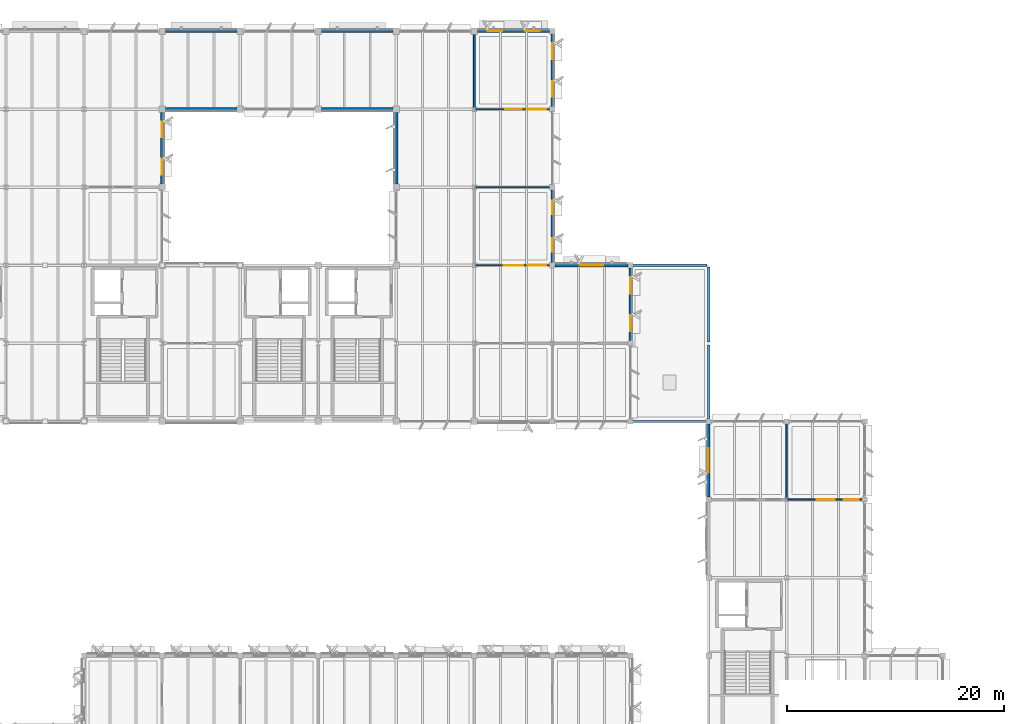
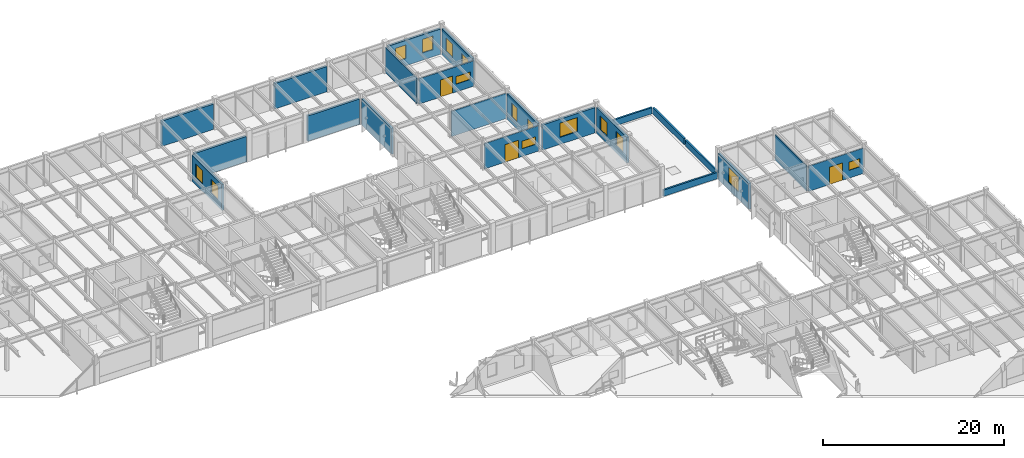
# One storey, part 42 of 85: 22 walls, 15 windows, 3 doors, 18 openings.
"""IFC4 building model written with IfcOpenShell, lengths in metres."""

from ifc_helpers import new_model, si_unit, direction, frame, frame_2d, origin, place, context, subcontext, project, spatial, rectangle, extrude, material, layer, layer_set, type_object, element, fill, save


model = new_model("IFC4")

# Units and contexts
model_context = context("Model", 3, precision=1e-05, world=origin(), true_north=direction((0.0, 1.0)))
body_context = subcontext(model_context, "Body", "Model", "MODEL_VIEW")
ifc_project = project(units=[si_unit("LENGTHUNIT", "METRE"), si_unit("AREAUNIT", "SQUARE_METRE"), si_unit("VOLUMEUNIT", "CUBIC_METRE"), si_unit("PLANEANGLEUNIT", "RADIAN"), si_unit("MASSUNIT", "GRAM", prefix="KILO")], contexts=[model_context])

# Site, building, storey
site_placement = place(None, origin())
site = spatial("IfcSite", under=ifc_project, at=site_placement, CompositionType="ELEMENT")
building_placement = place(site_placement, origin())
building = spatial("IfcBuilding", under=site, at=building_placement, Name="Sillqori Civic Hall", CompositionType="ELEMENT")
storey_placement = place(building_placement, frame((0.0, 0.0, 9.89990234375)))
storey = spatial("IfcBuildingStorey", under=building, at=storey_placement, Name="L03", CompositionType="ELEMENT", Elevation=9.89990234375)

# Wall, openings, windows
ifc_material_1 = material(Name="Precast concrete C40/50 (H40)", Category="concrete")
ifc_layer_1 = layer(ifc_material_1, 0.280029296875)
ifc_layer_set_1 = layer_set([ifc_layer_1], Name="Precast concrete C40/50 (H40)")
wall_type_1 = type_object("IfcWallType", Name="EW-LIME-280", PredefinedType="SOLIDWALL", material=ifc_layer_set_1)
wall_1_placement = place(storey_placement, frame((72.0, 107.699951171875, 0.0), z_axis=(0.0, 0.0, 1.0), x_axis=(0.0, -1.0, 0.0)))
wall_1 = element("IfcWall", 1, at=wall_1_placement, inside=storey, type_object=wall_type_1, Name="L03 V4 exterior wall L03-09-14-E", PredefinedType="SOLIDWALL", context=body_context, shape_type="SweptSolid", body=[
    extrude(rectangle(XDim=6.599853515625, YDim=0.280029296875, at=frame_2d((3.2998046875, 0.0))), origin(), (0.0, 0.0, 1.0), 3.487060546875),
])
opening_1_placement = place(wall_1_placement, frame((0.85888671875, 0.0, 0.949951171875)))
opening_1 = element("IfcOpeningElement", 2, at=opening_1_placement, cuts=wall_1, Name="Opening W-43", PredefinedType="OPENING", context=body_context, shape_type="SweptSolid", body=[
    extrude(rectangle(XDim=1.449951171875, YDim=1.85009765625, at=frame_2d((0.72509765625, 0.925048828125))), frame((0.0, 0.14990234375, 0.0), z_axis=(0.0, -1.0, 0.0), x_axis=(1.0, 0.0, 0.0)), (0.0, 0.0, 1.0), 0.300048828125),
])
opening_2_placement = place(wall_1_placement, frame((4.291015625, 0.0, 0.949951171875)))
opening_2 = element("IfcOpeningElement", 3, at=opening_2_placement, cuts=wall_1, Name="Opening W-43", PredefinedType="OPENING", context=body_context, shape_type="SweptSolid", body=[
    extrude(rectangle(XDim=1.449951171875, YDim=1.85009765625, at=frame_2d((0.72509765625, 0.925048828125))), frame((0.0, 0.14990234375, 0.0), z_axis=(0.0, -1.0, 0.0), x_axis=(1.0, 0.0, 0.0)), (0.0, 0.0, 1.0), 0.300048828125),
])
ifc_material_2 = material(Name="Thermally Broken Aluminium Low-E Window", Category="aluminium")
window_type_1 = type_object("IfcWindowType", Name="WIN-GD-145X185", PartitioningType="SINGLE_PANEL", PredefinedType="WINDOW", material=ifc_material_2)
window_1_placement = place(opening_1_placement, origin())
window_1 = element("IfcWindow", 4, at=window_1_placement, inside=storey, type_object=window_type_1, Name="L03 V4 window L03-09-14-E.1", OverallHeight=1.85009765625, OverallWidth=1.449951171875, PartitioningType="SINGLE_PANEL", PredefinedType="WINDOW", context=body_context, shape_type="SweptSolid", body=[
    extrude(rectangle(XDim=1.449951171875, YDim=1.85009765625, at=frame_2d((0.72509765625, 0.925048828125))), frame((0.0, 0.030029296875, 0.0), z_axis=(0.0, -1.0, 0.0), x_axis=(1.0, 0.0, 0.0)), (0.0, 0.0, 1.0), 0.06005859375),
])
fill(opening_1, window_1)
window_2_placement = place(opening_2_placement, origin())
window_2 = element("IfcWindow", 5, at=window_2_placement, inside=storey, type_object=window_type_1, Name="L03 V4 window L03-09-14-E.2", OverallHeight=1.85009765625, OverallWidth=1.449951171875, PartitioningType="SINGLE_PANEL", PredefinedType="WINDOW", context=body_context, shape_type="SweptSolid", body=[
    extrude(rectangle(XDim=1.449951171875, YDim=1.85009765625, at=frame_2d((0.72509765625, 0.925048828125))), frame((0.0, 0.030029296875, 0.0), z_axis=(0.0, -1.0, 0.0), x_axis=(1.0, 0.0, 0.0)), (0.0, 0.0, 1.0), 0.06005859375),
])
fill(opening_2, window_2)

# Walls
for number, where, z_axis, x_axis, name in (
    (6, (78.89990234375, 108.0, 0.0), (0.0, 0.0, 1.0), (-1.0, 0.0, 0.0), "L03 V4 exterior wall L03-10-15-S"),
    (7, (72.300048828125, 115.199951171875, 0.0), (0.0, 0.0, 1.0), (1.0, 0.0, 0.0), "L03 V4 exterior wall L03-10-15-N"),
):
    element("IfcWall", number, at=place(storey_placement, frame(where, z_axis=z_axis, x_axis=x_axis)), inside=storey, type_object=wall_type_1, Name=name, PredefinedType="SOLIDWALL", context=body_context, shape_type="SweptSolid", body=[
        extrude(rectangle(XDim=6.599853515625, YDim=0.280029296875, at=frame_2d((3.2998046875, 0.0))), origin(), (0.0, 0.0, 1.0), 3.418212890625),
    ])
for number, where, z_axis, x_axis, name in (
    (8, (93.300048828125, 108.0, 0.0), (0.0, 0.0, 1.0), (-1.0, 0.0, 0.0), "L03 V4 exterior wall L03-12-15-S"),
    (9, (86.699951171875, 115.199951171875, 0.0), (0.0, 0.0, 1.0), (1.0, 0.0, 0.0), "L03 V4 exterior wall L03-12-15-N"),
):
    element("IfcWall", number, at=place(storey_placement, frame(where, z_axis=z_axis, x_axis=x_axis)), inside=storey, type_object=wall_type_1, Name=name, PredefinedType="SOLIDWALL", context=body_context, shape_type="SweptSolid", body=[
        extrude(rectangle(XDim=6.60009765625, YDim=0.280029296875, at=frame_2d((3.300048828125, 0.0))), origin(), (0.0, 0.0, 1.0), 3.418212890625),
    ])
wall_2_placement = place(storey_placement, frame((93.60009765625, 101.10009765625, 0.0), z_axis=(0.0, 0.0, 1.0), x_axis=(0.0, 1.0, 0.0)))
element("IfcWall", 10, at=wall_2_placement, inside=storey, type_object=wall_type_1, Name="L03 V4 exterior wall L03-13-14-W", PredefinedType="SOLIDWALL", context=body_context, shape_type="SweptSolid", body=[
    extrude(rectangle(XDim=6.599853515625, YDim=0.280029296875, at=frame_2d((3.2998046875, 0.0))), origin(), (0.0, 0.0, 1.0), 3.487060546875),
])

# Wall, openings, windows
wall_3_placement = place(storey_placement, frame((108.0, 100.550048828125, 0.0), z_axis=(0.0, 0.0, 1.0), x_axis=(0.0, -1.0, 0.0)))
wall_3 = element("IfcWall", 11, at=wall_3_placement, inside=storey, type_object=wall_type_1, Name="L03 V4 exterior wall L03-14-13-E", PredefinedType="SOLIDWALL", context=body_context, shape_type="SweptSolid", body=[
    extrude(rectangle(XDim=6.699951171875, YDim=0.280029296875, at=frame_2d((3.35009765625, 0.0))), origin(), (0.0, 0.0, 1.0), 3.487060546875),
])
opening_3_placement = place(wall_3_placement, frame((0.98291015625, 0.0, 0.949951171875)))
opening_3 = element("IfcOpeningElement", 12, at=opening_3_placement, cuts=wall_3, Name="Opening W-41", PredefinedType="OPENING", context=body_context, shape_type="SweptSolid", body=[
    extrude(rectangle(XDim=1.25, YDim=1.85009765625, at=frame_2d((0.625, 0.925048828125))), frame((0.0, 0.14990234375, 0.0), z_axis=(0.0, -1.0, 0.0), x_axis=(1.0, 0.0, 0.0)), (0.0, 0.0, 1.0), 0.300048828125),
])
opening_4_placement = place(wall_3_placement, frame((4.467041015625, 0.0, 0.949951171875)))
opening_4 = element("IfcOpeningElement", 13, at=opening_4_placement, cuts=wall_3, Name="Opening W-41", PredefinedType="OPENING", context=body_context, shape_type="SweptSolid", body=[
    extrude(rectangle(XDim=1.25, YDim=1.85009765625, at=frame_2d((0.625, 0.925048828125))), frame((0.0, 0.14990234375, 0.0), z_axis=(0.0, -1.0, 0.0), x_axis=(1.0, 0.0, 0.0)), (0.0, 0.0, 1.0), 0.300048828125),
])
window_type_2 = type_object("IfcWindowType", Name="WIN-GD-125X185", PartitioningType="SINGLE_PANEL", PredefinedType="WINDOW", material=ifc_material_2)
window_3_placement = place(opening_3_placement, origin())
window_3 = element("IfcWindow", 14, at=window_3_placement, inside=storey, type_object=window_type_2, Name="L03 V4 window L03-14-13-E.1", OverallHeight=1.85009765625, OverallWidth=1.25, PartitioningType="SINGLE_PANEL", PredefinedType="WINDOW", context=body_context, shape_type="SweptSolid", body=[
    extrude(rectangle(XDim=1.25, YDim=1.85009765625, at=frame_2d((0.625, 0.925048828125))), frame((0.0, 0.030029296875, 0.0), z_axis=(0.0, -1.0, 0.0), x_axis=(1.0, 0.0, 0.0)), (0.0, 0.0, 1.0), 0.06005859375),
])
fill(opening_3, window_3)
window_4_placement = place(opening_4_placement, origin())
window_4 = element("IfcWindow", 15, at=window_4_placement, inside=storey, type_object=window_type_2, Name="L03 V4 window L03-14-13-E.2", OverallHeight=1.85009765625, OverallWidth=1.25, PartitioningType="SINGLE_PANEL", PredefinedType="WINDOW", context=body_context, shape_type="SweptSolid", body=[
    extrude(rectangle(XDim=1.25, YDim=1.85009765625, at=frame_2d((0.625, 0.925048828125))), frame((0.0, 0.030029296875, 0.0), z_axis=(0.0, -1.0, 0.0), x_axis=(1.0, 0.0, 0.0)), (0.0, 0.0, 1.0), 0.06005859375),
])
fill(opening_4, window_4)

wall_4_placement = place(storey_placement, frame((101.10009765625, 115.199951171875, 0.0), z_axis=(0.0, 0.0, 1.0), x_axis=(1.0, 0.0, 0.0)))
wall_4 = element("IfcWall", 16, at=wall_4_placement, inside=storey, type_object=wall_type_1, Name="L03 V4 exterior wall L03-14-15-N", PredefinedType="SOLIDWALL", context=body_context, shape_type="SweptSolid", body=[
    extrude(rectangle(XDim=6.64990234375, YDim=0.280029296875, at=frame_2d((3.324951171875, 0.0))), origin(), (0.0, 0.0, 1.0), 3.418212890625),
])
opening_5_placement = place(wall_4_placement, frame((0.9208984375, 0.0, 0.949951171875)))
opening_5 = element("IfcOpeningElement", 17, at=opening_5_placement, cuts=wall_4, Name="Opening W-42", PredefinedType="OPENING", context=body_context, shape_type="SweptSolid", body=[
    extrude(rectangle(XDim=1.35009765625, YDim=1.85009765625, at=frame_2d((0.675048828125, 0.925048828125))), frame((0.0, 0.14990234375, 0.0), z_axis=(0.0, -1.0, 0.0), x_axis=(1.0, 0.0, 0.0)), (0.0, 0.0, 1.0), 0.300048828125),
])
opening_6_placement = place(wall_4_placement, frame((4.37890625, 0.0, 0.949951171875)))
opening_6 = element("IfcOpeningElement", 18, at=opening_6_placement, cuts=wall_4, Name="Opening W-42", PredefinedType="OPENING", context=body_context, shape_type="SweptSolid", body=[
    extrude(rectangle(XDim=1.35009765625, YDim=1.85009765625, at=frame_2d((0.675048828125, 0.925048828125))), frame((0.0, 0.14990234375, 0.0), z_axis=(0.0, -1.0, 0.0), x_axis=(1.0, 0.0, 0.0)), (0.0, 0.0, 1.0), 0.300048828125),
])
window_type_3 = type_object("IfcWindowType", Name="WIN-GD-135X185", PartitioningType="SINGLE_PANEL", PredefinedType="WINDOW", material=ifc_material_2)
window_5_placement = place(opening_5_placement, origin())
window_5 = element("IfcWindow", 19, at=window_5_placement, inside=storey, type_object=window_type_3, Name="L03 V4 window L03-14-15-N.1", OverallHeight=1.85009765625, OverallWidth=1.35009765625, PartitioningType="SINGLE_PANEL", PredefinedType="WINDOW", context=body_context, shape_type="SweptSolid", body=[
    extrude(rectangle(XDim=1.35009765625, YDim=1.85009765625, at=frame_2d((0.675048828125, 0.925048828125))), frame((0.0, 0.030029296875, 0.0), z_axis=(0.0, -1.0, 0.0), x_axis=(1.0, 0.0, 0.0)), (0.0, 0.0, 1.0), 0.06005859375),
])
fill(opening_5, window_5)
window_6_placement = place(opening_6_placement, origin())
window_6 = element("IfcWindow", 20, at=window_6_placement, inside=storey, type_object=window_type_3, Name="L03 V4 window L03-14-15-N.2", OverallHeight=1.85009765625, OverallWidth=1.35009765625, PartitioningType="SINGLE_PANEL", PredefinedType="WINDOW", context=body_context, shape_type="SweptSolid", body=[
    extrude(rectangle(XDim=1.35009765625, YDim=1.85009765625, at=frame_2d((0.675048828125, 0.925048828125))), frame((0.0, 0.030029296875, 0.0), z_axis=(0.0, -1.0, 0.0), x_axis=(1.0, 0.0, 0.0)), (0.0, 0.0, 1.0), 0.06005859375),
])
fill(opening_6, window_6)

wall_5_placement = place(storey_placement, frame((108.0, 114.949951171875, 0.0), z_axis=(0.0, 0.0, 1.0), x_axis=(0.0, -1.0, 0.0)))
wall_5 = element("IfcWall", 21, at=wall_5_placement, inside=storey, type_object=wall_type_1, Name="L03 V4 exterior wall L03-14-15-E", PredefinedType="SOLIDWALL", context=body_context, shape_type="SweptSolid", body=[
    extrude(rectangle(XDim=6.699951171875, YDim=0.280029296875, at=frame_2d((3.35009765625, 0.0))), origin(), (0.0, 0.0, 1.0), 3.487060546875),
])
opening_7_placement = place(wall_5_placement, frame((0.883056640625, 0.0, 0.949951171875)))
opening_7 = element("IfcOpeningElement", 22, at=opening_7_placement, cuts=wall_5, Name="Opening W-43", PredefinedType="OPENING", context=body_context, shape_type="SweptSolid", body=[
    extrude(rectangle(XDim=1.449951171875, YDim=1.85009765625, at=frame_2d((0.72509765625, 0.925048828125))), frame((0.0, 0.14990234375, 0.0), z_axis=(0.0, -1.0, 0.0), x_axis=(1.0, 0.0, 0.0)), (0.0, 0.0, 1.0), 0.300048828125),
])
opening_8_placement = place(wall_5_placement, frame((4.366943359375, 0.0, 0.949951171875)))
opening_8 = element("IfcOpeningElement", 23, at=opening_8_placement, cuts=wall_5, Name="Opening W-43", PredefinedType="OPENING", context=body_context, shape_type="SweptSolid", body=[
    extrude(rectangle(XDim=1.449951171875, YDim=1.85009765625, at=frame_2d((0.72509765625, 0.925048828125))), frame((0.0, 0.14990234375, 0.0), z_axis=(0.0, -1.0, 0.0), x_axis=(1.0, 0.0, 0.0)), (0.0, 0.0, 1.0), 0.300048828125),
])
window_7_placement = place(opening_7_placement, origin())
window_7 = element("IfcWindow", 24, at=window_7_placement, inside=storey, type_object=window_type_1, Name="L03 V4 window L03-14-15-E.1", OverallHeight=1.85009765625, OverallWidth=1.449951171875, PartitioningType="SINGLE_PANEL", PredefinedType="WINDOW", context=body_context, shape_type="SweptSolid", body=[
    extrude(rectangle(XDim=1.449951171875, YDim=1.85009765625, at=frame_2d((0.72509765625, 0.925048828125))), frame((0.0, 0.030029296875, 0.0), z_axis=(0.0, -1.0, 0.0), x_axis=(1.0, 0.0, 0.0)), (0.0, 0.0, 1.0), 0.06005859375),
])
fill(opening_7, window_7)
window_8_placement = place(opening_8_placement, origin())
window_8 = element("IfcWindow", 25, at=window_8_placement, inside=storey, type_object=window_type_1, Name="L03 V4 window L03-14-15-E.2", OverallHeight=1.85009765625, OverallWidth=1.449951171875, PartitioningType="SINGLE_PANEL", PredefinedType="WINDOW", context=body_context, shape_type="SweptSolid", body=[
    extrude(rectangle(XDim=1.449951171875, YDim=1.85009765625, at=frame_2d((0.72509765625, 0.925048828125))), frame((0.0, 0.030029296875, 0.0), z_axis=(0.0, -1.0, 0.0), x_axis=(1.0, 0.0, 0.0)), (0.0, 0.0, 1.0), 0.06005859375),
])
fill(opening_8, window_8)

# Wall, opening, window
wall_6_placement = place(storey_placement, frame((108.25, 93.60009765625, 0.0), z_axis=(0.0, 0.0, 1.0), x_axis=(1.0, 0.0, 0.0)))
wall_6 = element("IfcWall", 26, at=wall_6_placement, inside=storey, type_object=wall_type_1, Name="L03 V4 exterior wall L03-15-12-N", PredefinedType="SOLIDWALL", context=body_context, shape_type="SweptSolid", body=[
    extrude(rectangle(XDim=6.699951171875, YDim=0.280029296875, at=frame_2d((3.35009765625, 0.0))), origin(), (0.0, 0.0, 1.0), 3.398193359375),
])
opening_9_placement = place(wall_6_placement, frame((2.25, 0.0, 0.949951171875)))
opening_9 = element("IfcOpeningElement", 27, at=opening_9_placement, cuts=wall_6, Name="Opening W-14", PredefinedType="OPENING", context=body_context, shape_type="SweptSolid", body=[
    extrude(rectangle(XDim=2.199951171875, YDim=1.89990234375, at=frame_2d((1.10009765625, 0.949951171875))), frame((0.0, 0.14990234375, 0.0), z_axis=(0.0, -1.0, 0.0), x_axis=(1.0, 0.0, 0.0)), (0.0, 0.0, 1.0), 0.300048828125),
])
window_type_4 = type_object("IfcWindowType", Name="WIN-V4-220X190", PartitioningType="SINGLE_PANEL", PredefinedType="WINDOW", material=ifc_material_2)
window_9_placement = place(opening_9_placement, origin())
window_9 = element("IfcWindow", 28, at=window_9_placement, inside=storey, type_object=window_type_4, Name="L03 V4 window L03-15-12-N.1", OverallHeight=1.89990234375, OverallWidth=2.199951171875, PartitioningType="SINGLE_PANEL", PredefinedType="WINDOW", context=body_context, shape_type="SweptSolid", body=[
    extrude(rectangle(XDim=2.199951171875, YDim=1.89990234375, at=frame_2d((1.10009765625, 0.949951171875))), frame((0.0, 0.030029296875, 0.0), z_axis=(0.0, -1.0, 0.0), x_axis=(1.0, 0.0, 0.0)), (0.0, 0.0, 1.0), 0.06005859375),
])
fill(opening_9, window_9)

# Wall, openings, windows
wall_7_placement = place(storey_placement, frame((115.199951171875, 93.35009765625, 0.0), z_axis=(0.0, 0.0, 1.0), x_axis=(0.0, -1.0, 0.0)))
wall_7 = element("IfcWall", 29, at=wall_7_placement, inside=storey, type_object=wall_type_1, Name="L03 V4 exterior wall L03-15-12-E", PredefinedType="SOLIDWALL", context=body_context, shape_type="SweptSolid", body=[
    extrude(rectangle(XDim=6.7001953125, YDim=0.280029296875, at=frame_2d((3.35009765625, 0.0))), origin(), (0.0, 0.0, 1.0), 3.467041015625),
])
opening_10_placement = place(wall_7_placement, frame((0.85791015625, 0.0, 0.949951171875)))
opening_10 = element("IfcOpeningElement", 30, at=opening_10_placement, cuts=wall_7, Name="Opening W-15", PredefinedType="OPENING", context=body_context, shape_type="SweptSolid", body=[
    extrude(rectangle(XDim=1.5, YDim=1.89990234375, at=frame_2d((0.75, 0.949951171875))), frame((0.0, 0.14990234375, 0.0), z_axis=(0.0, -1.0, 0.0), x_axis=(1.0, 0.0, 0.0)), (0.0, 0.0, 1.0), 0.300048828125),
])
opening_11_placement = place(wall_7_placement, frame((4.342041015625, 0.0, 0.949951171875)))
opening_11 = element("IfcOpeningElement", 31, at=opening_11_placement, cuts=wall_7, Name="Opening W-15", PredefinedType="OPENING", context=body_context, shape_type="SweptSolid", body=[
    extrude(rectangle(XDim=1.5, YDim=1.89990234375, at=frame_2d((0.75, 0.949951171875))), frame((0.0, 0.14990234375, 0.0), z_axis=(0.0, -1.0, 0.0), x_axis=(1.0, 0.0, 0.0)), (0.0, 0.0, 1.0), 0.300048828125),
])
window_type_5 = type_object("IfcWindowType", Name="WIN-V4-150X190", PartitioningType="SINGLE_PANEL", PredefinedType="WINDOW", material=ifc_material_2)
window_10_placement = place(opening_10_placement, origin())
window_10 = element("IfcWindow", 32, at=window_10_placement, inside=storey, type_object=window_type_5, Name="L03 V4 window L03-15-12-E.1", OverallHeight=1.89990234375, OverallWidth=1.5, PartitioningType="SINGLE_PANEL", PredefinedType="WINDOW", context=body_context, shape_type="SweptSolid", body=[
    extrude(rectangle(XDim=1.5, YDim=1.89990234375, at=frame_2d((0.75, 0.949951171875))), frame((0.0, 0.030029296875, 0.0), z_axis=(0.0, -1.0, 0.0), x_axis=(1.0, 0.0, 0.0)), (0.0, 0.0, 1.0), 0.06005859375),
])
fill(opening_10, window_10)
window_11_placement = place(opening_11_placement, origin())
window_11 = element("IfcWindow", 33, at=window_11_placement, inside=storey, type_object=window_type_5, Name="L03 V4 window L03-15-12-E.2", OverallHeight=1.89990234375, OverallWidth=1.5, PartitioningType="SINGLE_PANEL", PredefinedType="WINDOW", context=body_context, shape_type="SweptSolid", body=[
    extrude(rectangle(XDim=1.5, YDim=1.89990234375, at=frame_2d((0.75, 0.949951171875))), frame((0.0, 0.030029296875, 0.0), z_axis=(0.0, -1.0, 0.0), x_axis=(1.0, 0.0, 0.0)), (0.0, 0.0, 1.0), 0.06005859375),
])
fill(opening_11, window_11)

# Wall, opening, window
ifc_layer_2 = layer(ifc_material_1, 0.300048828125)
ifc_layer_set_2 = layer_set([ifc_layer_2], Name="Precast concrete C40/50 (H40)")
wall_type_2 = type_object("IfcWallType", Name="EW-LIME-300", PredefinedType="SOLIDWALL", material=ifc_layer_set_2)
wall_8_placement = place(storey_placement, frame((122.39990234375, 72.25, 0.0), z_axis=(0.0, 0.0, 1.0), x_axis=(0.0, 1.0, 0.0)))
wall_8 = element("IfcWall", 34, at=wall_8_placement, inside=storey, type_object=wall_type_2, Name="L03 V3 exterior wall L03-17-10-W", PredefinedType="SOLIDWALL", context=body_context, shape_type="SweptSolid", body=[
    extrude(rectangle(XDim=6.699951171875, YDim=0.300048828125, at=frame_2d((3.35009765625, 0.0))), origin(), (0.0, 0.0, 1.0), 3.487060546875),
])
opening_12_placement = place(wall_8_placement, frame((2.22509765625, 0.0, 0.949951171875)))
opening_12 = element("IfcOpeningElement", 35, at=opening_12_placement, cuts=wall_8, Name="Opening W-38", PredefinedType="OPENING", context=body_context, shape_type="SweptSolid", body=[
    extrude(rectangle(XDim=2.25, YDim=2.050048828125, at=frame_2d((1.125, 1.02490234375))), frame((0.0, 0.159912109375, 0.0), z_axis=(0.0, -1.0, 0.0), x_axis=(1.0, 0.0, 0.0)), (0.0, 0.0, 1.0), 0.320068359375),
])
window_type_6 = type_object("IfcWindowType", Name="WIN-GD-225X205", PartitioningType="SINGLE_PANEL", PredefinedType="WINDOW", material=ifc_material_2)
window_12_placement = place(opening_12_placement, origin())
window_12 = element("IfcWindow", 36, at=window_12_placement, inside=storey, type_object=window_type_6, Name="L03 V3 window L03-17-10-W.1", OverallHeight=2.050048828125, OverallWidth=2.25, PartitioningType="SINGLE_PANEL", PredefinedType="WINDOW", context=body_context, shape_type="SweptSolid", body=[
    extrude(rectangle(XDim=2.25, YDim=2.050048828125, at=frame_2d((1.125, 1.02490234375))), frame((0.0, 0.030029296875, 0.0), z_axis=(0.0, -1.0, 0.0), x_axis=(1.0, 0.0, 0.0)), (0.0, 0.0, 1.0), 0.06005859375),
])
fill(opening_12, window_12)

# Wall
ifc_material_3 = material(Name="Double-Board Acoustic Partition 135", Category="gypsum")
ifc_layer_3 = layer(ifc_material_3, 0.135009765625)
ifc_layer_set_3 = layer_set([ifc_layer_3], Name="Double-Board Acoustic Partition 135")
wall_type_3 = type_object("IfcWallType", Name="PT-GYP-135", PredefinedType="PARTITIONING", material=ifc_layer_set_3)
wall_9_placement = place(storey_placement, frame((129.60009765625, 79.080078125, 0.0), z_axis=(0.0, 0.0, 1.0), x_axis=(0.0, -1.0, 0.0)))
element("IfcWall", 37, at=wall_9_placement, inside=storey, type_object=wall_type_3, Name="Library Open Book Stacks Historic Statutes partition E2", PredefinedType="PARTITIONING", context=body_context, shape_type="SweptSolid", body=[
    extrude(rectangle(XDim=6.9599609375, YDim=0.135009765625, at=frame_2d((3.47998046875, 0.0))), origin(), (0.0, 0.0, 1.0), 3.398193359375),
])

# Wall, openings, door, window
ifc_material_4 = material(Name="Corridor Rated Partition 142", Category="gypsum")
ifc_layer_4 = layer(ifc_material_4, 0.14208984375)
ifc_layer_set_4 = layer_set([ifc_layer_4], Name="Corridor Rated Partition 142")
wall_type_4 = type_object("IfcWallType", Name="PT-GYP-142", PredefinedType="PARTITIONING", material=ifc_layer_set_4)
wall_10_placement = place(storey_placement, frame((136.679931640625, 72.0, 0.0), z_axis=(0.0, 0.0, 1.0), x_axis=(-1.0, 0.0, 0.0)))
wall_10 = element("IfcWall", 38, at=wall_10_placement, inside=storey, type_object=wall_type_4, Name="Andean Cartography and Map Reading Room partition S1", PredefinedType="PARTITIONING", context=body_context, shape_type="SweptSolid", body=[
    extrude(rectangle(XDim=6.9599609375, YDim=0.14208984375, at=frame_2d((3.47998046875, 0.0))), origin(), (0.0, 0.0, 1.0), 3.398193359375),
])
opening_13_placement = place(wall_10_placement, frame((2.639892578125, 0.0, 0.0)))
opening_13 = element("IfcOpeningElement", 39, at=opening_13_placement, cuts=wall_10, Name="Opening ID-09", PredefinedType="OPENING", context=body_context, shape_type="SweptSolid", body=[
    extrude(rectangle(XDim=1.679931640625, YDim=2.35009765625, at=frame_2d((0.83984375, 1.175048828125))), frame((0.0, 0.0810546875, 0.0), z_axis=(0.0, -1.0, 0.0), x_axis=(1.0, 0.0, 0.0)), (0.0, 0.0, 1.0), 0.162109375),
])
opening_14_placement = place(wall_10_placement, frame((0.449951171875, 0.0, 1.050048828125)))
opening_14 = element("IfcOpeningElement", 40, at=opening_14_placement, cuts=wall_10, Name="Opening IW-39", PredefinedType="OPENING", context=body_context, shape_type="SweptSolid", body=[
    extrude(rectangle(XDim=1.360107421875, YDim=1.10009765625, at=frame_2d((0.68017578125, 0.550048828125))), frame((0.0, 0.0810546875, 0.0), z_axis=(0.0, -1.0, 0.0), x_axis=(1.0, 0.0, 0.0)), (0.0, 0.0, 1.0), 0.162109375),
])
ifc_material_5 = material(Name="Library Reading Room Acoustic Door", Category="timber")
door_type_1 = type_object("IfcDoorType", Name="IDR-LIB-168X235", OperationType="NOTDEFINED", PredefinedType="DOOR", material=ifc_material_5)
door_1_placement = place(opening_13_placement, origin())
door_1 = element("IfcDoor", 41, at=door_1_placement, inside=storey, type_object=door_type_1, Name="Andean Cartography and Map Reading Room entrance door", OperationType="DOUBLE_DOOR_SINGLE_SWING", OverallHeight=2.35009765625, OverallWidth=1.679931640625, PredefinedType="DOOR", context=body_context, shape_type="SweptSolid", body=[
    extrude(rectangle(XDim=1.679931640625, YDim=2.35009765625, at=frame_2d((0.83984375, 1.175048828125))), frame((0.0, 0.02490234375, 0.0), z_axis=(0.0, -1.0, 0.0), x_axis=(1.0, 0.0, 0.0)), (0.0, 0.0, 1.0), 0.050048828125),
])
fill(opening_13, door_1)
ifc_material_6 = material(Name="Acoustic Laminated Interior Clerestory Glazing", Category="glass")
window_type_7 = type_object("IfcWindowType", Name="IWN-GAL-136X110", PartitioningType="SINGLE_PANEL", PredefinedType="WINDOW", material=ifc_material_6)
window_13_placement = place(opening_14_placement, origin())
window_13 = element("IfcWindow", 42, at=window_13_placement, inside=storey, type_object=window_type_7, Name="Andean Cartography and Map Reading Room borrowed-light screen", OverallHeight=1.10009765625, OverallWidth=1.360107421875, PartitioningType="SINGLE_PANEL", PredefinedType="WINDOW", context=body_context, shape_type="SweptSolid", body=[
    extrude(rectangle(XDim=1.360107421875, YDim=1.10009765625, at=frame_2d((0.68017578125, 0.550048828125))), frame((0.0, 0.030029296875, 0.0), z_axis=(0.0, -1.0, 0.0), x_axis=(1.0, 0.0, 0.0)), (0.0, 0.0, 1.0), 0.06005859375),
])
fill(opening_14, window_13)

ifc_material_7 = material(Name="Limestone-Veneer Ceremonial Wall 168", Category="masonry")
ifc_layer_5 = layer(ifc_material_7, 0.16796875)
ifc_layer_set_5 = layer_set([ifc_layer_5], Name="Limestone-Veneer Ceremonial Wall 168")
wall_type_5 = type_object("IfcWallType", Name="PT-STN-168", PredefinedType="PARTITIONING", material=ifc_layer_set_5)
wall_11_placement = place(storey_placement, frame((107.8798828125, 108.0, 0.0), z_axis=(0.0, 0.0, 1.0), x_axis=(-1.0, 0.0, 0.0)))
wall_11 = element("IfcWall", 43, at=wall_11_placement, inside=storey, type_object=wall_type_5, Name="Municipal Staff Reference Lounge L03-08 partition S1", PredefinedType="PARTITIONING", context=body_context, shape_type="SweptSolid", body=[
    extrude(rectangle(XDim=6.9599609375, YDim=0.16796875, at=frame_2d((3.47998046875, 0.0))), origin(), (0.0, 0.0, 1.0), 3.408203125),
])
opening_15_placement = place(wall_11_placement, frame((2.705078125, 0.0, 0.0)))
opening_15 = element("IfcOpeningElement", 44, at=opening_15_placement, cuts=wall_11, Name="Opening ID-08", PredefinedType="OPENING", context=body_context, shape_type="SweptSolid", body=[
    extrude(rectangle(XDim=1.550048828125, YDim=2.300048828125, at=frame_2d((0.77490234375, 1.14990234375))), frame((0.0, 0.093994140625, 0.0), z_axis=(0.0, -1.0, 0.0), x_axis=(1.0, 0.0, 0.0)), (0.0, 0.0, 1.0), 0.18798828125),
])
opening_16_placement = place(wall_11_placement, frame((0.449951171875, 0.0, 1.050048828125)))
opening_16 = element("IfcOpeningElement", 45, at=opening_16_placement, cuts=wall_11, Name="Opening IW-32", PredefinedType="OPENING", context=body_context, shape_type="SweptSolid", body=[
    extrude(rectangle(XDim=1.820068359375, YDim=1.02001953125, at=frame_2d((0.91015625, 0.510009765625))), frame((0.0, 0.093994140625, 0.0), z_axis=(0.0, -1.0, 0.0), x_axis=(1.0, 0.0, 0.0)), (0.0, 0.0, 1.0), 0.18798828125),
])
ifc_material_8 = material(Name="Community Room Double Leaf Door", Category="timber")
door_type_2 = type_object("IfcDoorType", Name="IDR-CMY-155X230", OperationType="NOTDEFINED", PredefinedType="DOOR", material=ifc_material_8)
door_2_placement = place(opening_15_placement, origin())
door_2 = element("IfcDoor", 46, at=door_2_placement, inside=storey, type_object=door_type_2, Name="Municipal Staff Reference Lounge L03-08 entrance door", OperationType="DOUBLE_DOOR_SINGLE_SWING", OverallHeight=2.300048828125, OverallWidth=1.550048828125, PredefinedType="DOOR", context=body_context, shape_type="SweptSolid", body=[
    extrude(rectangle(XDim=1.550048828125, YDim=2.300048828125, at=frame_2d((0.77490234375, 1.14990234375))), frame((0.0, 0.02490234375, 0.0), z_axis=(0.0, -1.0, 0.0), x_axis=(1.0, 0.0, 0.0)), (0.0, 0.0, 1.0), 0.050048828125),
])
fill(opening_15, door_2)
window_type_8 = type_object("IfcWindowType", Name="IWN-GAL-182X102", PartitioningType="SINGLE_PANEL", PredefinedType="WINDOW", material=ifc_material_6)
window_14_placement = place(opening_16_placement, origin())
window_14 = element("IfcWindow", 47, at=window_14_placement, inside=storey, type_object=window_type_8, Name="Municipal Staff Reference Lounge L03-08 borrowed-light screen", OverallHeight=1.02001953125, OverallWidth=1.820068359375, PartitioningType="SINGLE_PANEL", PredefinedType="WINDOW", context=body_context, shape_type="SweptSolid", body=[
    extrude(rectangle(XDim=1.820068359375, YDim=1.02001953125, at=frame_2d((0.91015625, 0.510009765625))), frame((0.0, 0.030029296875, 0.0), z_axis=(0.0, -1.0, 0.0), x_axis=(1.0, 0.0, 0.0)), (0.0, 0.0, 1.0), 0.06005859375),
])
fill(opening_16, window_14)

# Wall
wall_12_placement = place(storey_placement, frame((100.800048828125, 108.1201171875, 0.0), z_axis=(0.0, 0.0, 1.0), x_axis=(0.0, 1.0, 0.0)))
element("IfcWall", 48, at=wall_12_placement, inside=storey, type_object=wall_type_5, Name="Municipal Staff Reference Lounge L03-08 partition W2", PredefinedType="PARTITIONING", context=body_context, shape_type="SweptSolid", body=[
    extrude(rectangle(XDim=6.9599609375, YDim=0.16796875, at=frame_2d((3.47998046875, 0.0))), origin(), (0.0, 0.0, 1.0), 3.408203125),
])

# Wall, openings, door, window
ifc_material_9 = material(Name="Andean Cedar Slatted Acoustic Wall 132", Category="timber")
ifc_layer_6 = layer(ifc_material_9, 0.132080078125)
ifc_layer_set_6 = layer_set([ifc_layer_6], Name="Andean Cedar Slatted Acoustic Wall 132")
wall_type_6 = type_object("IfcWallType", Name="PT-TIM-132", PredefinedType="PARTITIONING", material=ifc_layer_set_6)
wall_13_placement = place(storey_placement, frame((107.8798828125, 93.60009765625, 0.0), z_axis=(0.0, 0.0, 1.0), x_axis=(-1.0, 0.0, 0.0)))
wall_13 = element("IfcWall", 49, at=wall_13_placement, inside=storey, type_object=wall_type_6, Name="Public Works Project Management Office L03-07 partition S1", PredefinedType="PARTITIONING", context=body_context, shape_type="SweptSolid", body=[
    extrude(rectangle(XDim=6.9599609375, YDim=0.132080078125, at=frame_2d((3.47998046875, 0.0))), origin(), (0.0, 0.0, 1.0), 3.408203125),
])
opening_17_placement = place(wall_13_placement, frame((2.590087890625, 0.0, 0.0)))
opening_17 = element("IfcOpeningElement", 50, at=opening_17_placement, cuts=wall_13, Name="Opening ID-40", PredefinedType="OPENING", context=body_context, shape_type="SweptSolid", body=[
    extrude(rectangle(XDim=1.780029296875, YDim=2.360107421875, at=frame_2d((0.89013671875, 1.18017578125))), frame((0.0, 0.075927734375, 0.0), z_axis=(0.0, -1.0, 0.0), x_axis=(1.0, 0.0, 0.0)), (0.0, 0.0, 1.0), 0.152099609375),
])
opening_18_placement = place(wall_13_placement, frame((0.449951171875, 0.0, 1.050048828125)))
opening_18 = element("IfcOpeningElement", 51, at=opening_18_placement, cuts=wall_13, Name="Opening IW-31", PredefinedType="OPENING", context=body_context, shape_type="SweptSolid", body=[
    extrude(rectangle(XDim=1.719970703125, YDim=1.02001953125, at=frame_2d((0.85986328125, 0.510009765625))), frame((0.0, 0.075927734375, 0.0), z_axis=(0.0, -1.0, 0.0), x_axis=(1.0, 0.0, 0.0)), (0.0, 0.0, 1.0), 0.152099609375),
])
ifc_material_10 = material(Name="Assembly Double Door 1780", Category="timber")
door_type_3 = type_object("IfcDoorType", Name="IDR-DIR-178X236", OperationType="NOTDEFINED", PredefinedType="DOOR", material=ifc_material_10)
door_3_placement = place(opening_17_placement, origin())
door_3 = element("IfcDoor", 52, at=door_3_placement, inside=storey, type_object=door_type_3, Name="Public Works Project Management Office L03-07 entrance door", OperationType="DOUBLE_DOOR_SINGLE_SWING", OverallHeight=2.360107421875, OverallWidth=1.780029296875, PredefinedType="DOOR", context=body_context, shape_type="SweptSolid", body=[
    extrude(rectangle(XDim=1.780029296875, YDim=2.360107421875, at=frame_2d((0.89013671875, 1.18017578125))), frame((0.0, 0.02490234375, 0.0), z_axis=(0.0, -1.0, 0.0), x_axis=(1.0, 0.0, 0.0)), (0.0, 0.0, 1.0), 0.050048828125),
])
fill(opening_17, door_3)
window_type_9 = type_object("IfcWindowType", Name="IWN-GAL-172X102", PartitioningType="SINGLE_PANEL", PredefinedType="WINDOW", material=ifc_material_6)
window_15_placement = place(opening_18_placement, origin())
window_15 = element("IfcWindow", 53, at=window_15_placement, inside=storey, type_object=window_type_9, Name="Public Works Project Management Office L03-07 borrowed-light screen", OverallHeight=1.02001953125, OverallWidth=1.719970703125, PartitioningType="SINGLE_PANEL", PredefinedType="WINDOW", context=body_context, shape_type="SweptSolid", body=[
    extrude(rectangle(XDim=1.719970703125, YDim=1.02001953125, at=frame_2d((0.85986328125, 0.510009765625))), frame((0.0, 0.030029296875, 0.0), z_axis=(0.0, -1.0, 0.0), x_axis=(1.0, 0.0, 0.0)), (0.0, 0.0, 1.0), 0.06005859375),
])
fill(opening_18, window_15)

# Walls
wall_14_placement = place(storey_placement, frame((100.919921875, 100.800048828125, 0.0), z_axis=(0.0, 0.0, 1.0), x_axis=(1.0, 0.0, 0.0)))
element("IfcWall", 54, at=wall_14_placement, inside=storey, type_object=wall_type_6, Name="Public Works Project Management Office L03-07 partition N2", PredefinedType="PARTITIONING", context=body_context, shape_type="SweptSolid", body=[
    extrude(rectangle(XDim=6.9599609375, YDim=0.132080078125, at=frame_2d((3.47998046875, 0.0))), origin(), (0.0, 0.0, 1.0), 3.408203125),
])
ifc_layer_7 = layer(ifc_material_1, 0.219970703125)
ifc_layer_set_7 = layer_set([ifc_layer_7], Name="Precast concrete C40/50 (H40)")
wall_type_7 = type_object("IfcWallType", Name="WP-PAR-220", PredefinedType="PARAPET", material=ifc_layer_set_7)
for number, where, z_axis, x_axis, name in (
    (55, (115.35009765625, 93.60009765625, 0.0), (0.0, 0.0, 1.0), (1.0, 0.0, 0.0), "L03 roof parapet 01"),
    (56, (122.39990234375, 93.449951171875, 0.0), (0.0, 0.0, 1.0), (0.0, -1.0, 0.0), "L03 roof parapet 02"),
    (57, (122.39990234375, 86.25, 0.0), (0.0, 0.0, 1.0), (0.0, -1.0, 0.0), "L03 roof parapet 03"),
    (58, (122.25, 79.199951171875, 0.0), (0.0, 0.0, 1.0), (-1.0, 0.0, 0.0), "L03 roof parapet 04"),
):
    element("IfcWall", number, at=place(storey_placement, frame(where, z_axis=z_axis, x_axis=x_axis)), inside=storey, type_object=wall_type_7, Name=name, PredefinedType="PARAPET", context=body_context, shape_type="SweptSolid", body=[
        extrude(rectangle(XDim=6.89990234375, YDim=0.219970703125, at=frame_2d((3.449951171875, 0.0))), origin(), (0.0, 0.0, 1.0), 0.85009765625),
    ])

save(model, "model.ifc")
